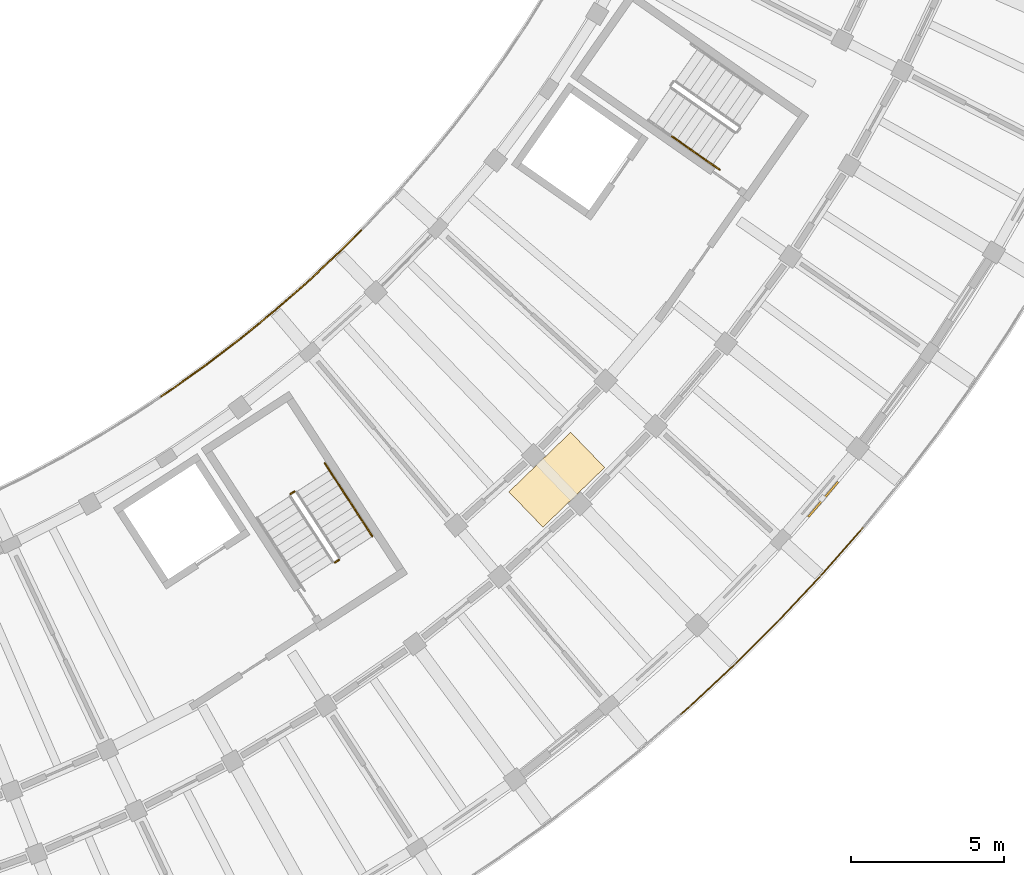
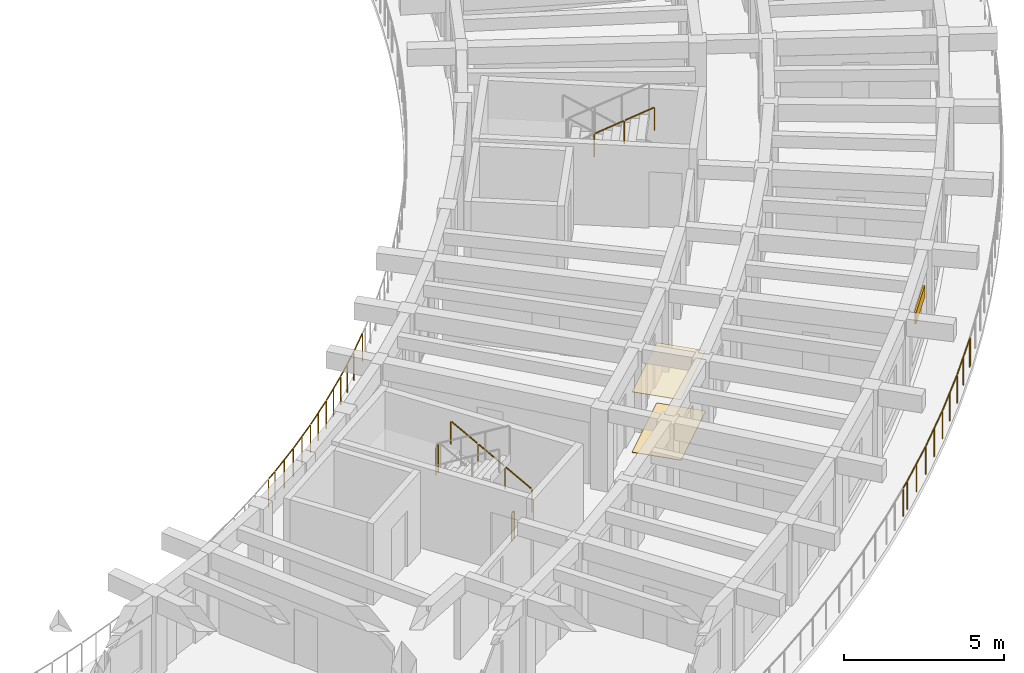
# One storey, part 62 of 69: 9 railings, 2 coverings, 1 shading device.
"""IFC4 building model written with IfcOpenShell, lengths in metres."""

import ifcopenshell
import ifcopenshell.guid

model = None  # the IFC model being written
_history = None  # IfcOwnerHistory: only IFC2X3 demands one
_inside = {}  # id of a spatial element -> (the spatial element, [elements in it])
_under = {}  # id of a project, library or spatial element -> (it, [spatial elements below it])
_declared = {}  # id of a project -> (the project, [libraries it declares])
_typed = {}  # id of a type object -> (the type object, [elements of that type])
_made_of = {}  # id of a material, layer set ... -> (it, [elements and type objects made of it])


def new_model(schema):
    """Start an empty IFC model of exactly this schema.

    Asked for "IFC4X3", IfcOpenShell would pick the latest addendum, in which some entities
    have other attributes; the version numbers below select the first issue.
    IFC2X3 requires an IfcOwnerHistory on every rooted entity: one is made here for all.
    """
    global model, _history
    if schema == "IFC4X3":
        model = ifcopenshell.file(schema_version=(4, 3, 0, 0))
    else:
        model = ifcopenshell.file(schema=schema)
    _inside.clear()
    _under.clear()
    _declared.clear()
    _typed.clear()
    _made_of.clear()
    _history = None
    if model.schema == "IFC2X3":
        org = make("IfcOrganization", Name="unknown")
        user = make(
            "IfcPersonAndOrganization",
            ThePerson=make("IfcPerson", FamilyName="unknown"),
            TheOrganization=org,
        )
        app = make(
            "IfcApplication",
            ApplicationDeveloper=org,
            Version="unknown",
            ApplicationFullName="unknown",
            ApplicationIdentifier="unknown",
        )
        _history = make(
            "IfcOwnerHistory",
            OwningUser=user,
            OwningApplication=app,
            ChangeAction="ADDED",
            CreationDate=0,
        )
    return model


def make(cls, **values):
    """One entity of the class cls with the attributes given. An attribute that is None is left unset."""
    return model.create_entity(
        cls, **{name: value for name, value in values.items() if value is not None}
    )


def rooted(cls, **values):
    """An entity with a GlobalId (a new one), such as an element, a storey or a relation."""
    return make(cls, GlobalId=ifcopenshell.guid.new(), OwnerHistory=_history, **values)


def si_unit(unit_type, name, prefix=None):
    """IfcSIUnit, for example si_unit("LENGTHUNIT", "METRE", prefix="MILLI")."""
    return make("IfcSIUnit", UnitType=unit_type, Prefix=prefix, Name=name)


def assignment(units):
    """IfcUnitAssignment: the units of a project."""
    return None if units is None else make("IfcUnitAssignment", Units=units)


def point(xyz):
    """IfcCartesianPoint."""
    return None if xyz is None else make("IfcCartesianPoint", Coordinates=xyz)


def direction(xyz):
    """IfcDirection."""
    return None if xyz is None else make("IfcDirection", DirectionRatios=xyz)


def frame(location, z_axis=None, x_axis=None):
    """IfcAxis2Placement3D, a coordinate frame: its origin and axes. An axis left out is left unset."""
    return make(
        "IfcAxis2Placement3D",
        Location=point(location),
        Axis=direction(z_axis),
        RefDirection=direction(x_axis),
    )


def frame_2d(location, x_axis=None):
    """IfcAxis2Placement2D, a coordinate frame in the plane: its origin and x axis."""
    return make(
        "IfcAxis2Placement2D", Location=point(location), RefDirection=direction(x_axis)
    )


def origin():
    """The frame at (0, 0, 0) with its axes left unset."""
    return frame((0.0, 0.0, 0.0))


def origin_2d():
    """The frame at (0, 0) in the plane with its x axis left unset."""
    return frame_2d((0.0, 0.0))


def place(relative_to, where):
    """IfcLocalPlacement: puts the frame where relative to a parent placement (None: the world)."""
    return make(
        "IfcLocalPlacement", PlacementRelTo=relative_to, RelativePlacement=where
    )


def context(
    kind, dimensions, precision=None, world=None, true_north=None, identifier=None
):
    """IfcGeometricRepresentationContext, for example the 3D "Model" context."""
    return make(
        "IfcGeometricRepresentationContext",
        ContextIdentifier=identifier,
        ContextType=kind,
        CoordinateSpaceDimension=dimensions,
        Precision=precision,
        WorldCoordinateSystem=world,
        TrueNorth=true_north,
    )


def subcontext(parent, identifier, kind, view, scale=None):
    """IfcGeometricRepresentationSubContext, for example "Body" below "Model"."""
    return make(
        "IfcGeometricRepresentationSubContext",
        ContextIdentifier=identifier,
        ContextType=kind,
        ParentContext=parent,
        TargetScale=scale,
        TargetView=view,
    )


def project(units=None, contexts=None):
    """IfcProject with its units and contexts."""
    return rooted(
        "IfcProject",
        Name="project",
        RepresentationContexts=contexts,
        UnitsInContext=assignment(units),
    )


def spatial(cls, under=None, at=None, **own):
    """A site, building, storey or space (cls), placed at a placement, below another one or the project."""
    s = rooted(cls, ObjectPlacement=at, **own)
    if under is not None:
        _under.setdefault(under.id(), (under, []))[1].append(s)
    return s


def profile(cls, at=None, kind="AREA", **sizes):
    """A parametric profile (cls). Its sizes go by their IFC names, for example OverallWidth=200.0."""
    return make(cls, ProfileType=kind, Position=at, **sizes)


def rectangle(**sizes):
    """IfcRectangleProfileDef."""
    return profile("IfcRectangleProfileDef", **sizes)


def circle(**sizes):
    """IfcCircleProfileDef."""
    return profile("IfcCircleProfileDef", **sizes)


def extrude(swept, where, along, depth):
    """IfcExtrudedAreaSolid: the profile swept, set in the frame where, extruded along a direction by depth."""
    return make(
        "IfcExtrudedAreaSolid",
        SweptArea=swept,
        Position=where,
        ExtrudedDirection=direction(along),
        Depth=depth,
    )


def shape(context_of_items, identifier, shape_type, items):
    """IfcShapeRepresentation: the items that make up one representation, for example the "Body"."""
    return make(
        "IfcShapeRepresentation",
        ContextOfItems=context_of_items,
        RepresentationIdentifier=identifier,
        RepresentationType=shape_type,
        Items=items,
    )


def material(Name=None, Category=None):
    """IfcMaterial."""
    return make("IfcMaterial", Name=Name, Category=Category)


def layer(
    of_material, thickness, ventilated=None, Name=None, Category=None, Priority=None
):
    """IfcMaterialLayer: one layer of a wall or slab, of a material (None: an air gap)."""
    return make(
        "IfcMaterialLayer",
        Material=of_material,
        LayerThickness=thickness,
        IsVentilated=ventilated,
        Name=Name,
        Category=Category,
        Priority=Priority,
    )


def layer_set(layers, Name=None):
    """IfcMaterialLayerSet."""
    return make("IfcMaterialLayerSet", MaterialLayers=layers, LayerSetName=Name)


def made_of(thing, what):
    """Note that an element or type object is made of a material, layer set ...; save() writes the relation."""
    if what is not None:
        _made_of.setdefault(what.id(), (what, []))[1].append(thing)
    return thing


def type_object(cls, material=None, **own):
    """A type object (cls), such as IfcWallType, which elements share."""
    return made_of(rooted(cls, **own), material)


def element(
    cls,
    number,
    at=None,
    inside=None,
    cuts=None,
    type_object=None,
    material=None,
    context=None,
    identifier="Body",
    shape_type=None,
    held_by="IfcProductDefinitionShape",
    body=None,
    shapes=None,
    **own,
):
    """One element of the class cls, such as IfcWall. Its Tag is "e" and its number.

    at: its placement. inside: the storey or other place that contains it. cuts: it is an
    opening in that element (IfcRelVoidsElement). A single representation is given by context,
    identifier, shape_type and body (its items); several are given by shapes. held_by: the class
    of the entity that holds the representations. save() writes the other relations.
    """
    e = rooted(cls, Tag="e%d" % number, ObjectPlacement=at, **own)
    if body is not None:
        shapes = [shape(context, identifier, shape_type, body)]
    if shapes is not None:
        e.Representation = make(held_by, Representations=shapes)
    if inside is not None:
        _inside.setdefault(inside.id(), (inside, []))[1].append(e)
    if cuts is not None:
        rooted(
            "IfcRelVoidsElement", RelatingBuildingElement=cuts, RelatedOpeningElement=e
        )
    if type_object is not None:
        _typed.setdefault(type_object.id(), (type_object, []))[1].append(e)
    return made_of(e, material)


def aggregate(whole, parts):
    """IfcRelAggregates: a whole, such as a stair, and the parts it consists of."""
    return rooted("IfcRelAggregates", RelatingObject=whole, RelatedObjects=parts)


def save(model, path):
    """Write the relations noted so far, then the file.

    IfcRelAggregates (storeys below a building ...), IfcRelContainedInSpatialStructure (elements
    in a storey), IfcRelDefinesByType, IfcRelAssociatesMaterial and IfcRelDeclares: one each for
    every whole, place, type object, material and project.
    """
    for whole, parts in _under.values():
        aggregate(whole, parts)
    for where, things in _inside.values():
        rooted(
            "IfcRelContainedInSpatialStructure",
            RelatedElements=things,
            RelatingStructure=where,
        )
    for kind, things in _typed.values():
        rooted("IfcRelDefinesByType", RelatedObjects=things, RelatingType=kind)
    for what, things in _made_of.values():
        rooted("IfcRelAssociatesMaterial", RelatedObjects=things, RelatingMaterial=what)
    for by, libraries in _declared.values():
        rooted("IfcRelDeclares", RelatingContext=by, RelatedDefinitions=libraries)
    model.write(path)


model = new_model("IFC4")

# Units and contexts
model_context = context("Model", 3, precision=1e-05, world=origin(), true_north=direction((0.0, 1.0)))
body_context = subcontext(model_context, "Body", "Model", "MODEL_VIEW")
ifc_project = project(units=[si_unit("LENGTHUNIT", "METRE"), si_unit("AREAUNIT", "SQUARE_METRE"), si_unit("VOLUMEUNIT", "CUBIC_METRE"), si_unit("PLANEANGLEUNIT", "RADIAN"), si_unit("MASSUNIT", "GRAM", prefix="KILO")], contexts=[model_context])

# Site, building, storey
site_placement = place(None, origin())
site = spatial("IfcSite", under=ifc_project, at=site_placement, CompositionType="ELEMENT")
building_placement = place(site_placement, origin())
building = spatial("IfcBuilding", under=site, at=building_placement, Name="Tanwirah Colonnade Gardens", CompositionType="ELEMENT")
storey_placement = place(building_placement, frame((0.0, 0.0, 15.56005859375)))
storey = spatial("IfcBuildingStorey", under=building, at=storey_placement, Name="L04", CompositionType="ELEMENT", Elevation=15.56005859375)

# Railings
ifc_material_1 = material(Name="Precast concrete C40/50", Category="concrete")
railing_type_1 = type_object("IfcRailingType", Name="BAL-EXT110", PredefinedType="BALUSTRADE", material=ifc_material_1)
railing_1_placement = place(storey_placement, frame((144.87646484375, 29.129638671875, 0.0)))
element("IfcRailing", 1, at=railing_1_placement, inside=storey, type_object=railing_type_1, Name="Block D L04 Balcony Ribbon Balustrade 3", PredefinedType="BALUSTRADE", context=body_context, shape_type="SweptSolid", body=[
    extrude(circle(Radius=0.02392578125, at=origin_2d()), frame((0.026123046875, 0.017333984375, 1.076171875), z_axis=(0.83213401319, 0.55457459741, 0.0), x_axis=(-0.55457459741, 0.83213401319, 0.0)), (0.0, 0.0, 1.0), 0.385986328125),
    extrude(circle(Radius=0.02392578125, at=origin_2d()), frame((0.40087890625, 0.268310546875, 1.076171875), z_axis=(0.813473063063, 0.581602592558, 0.0), x_axis=(-0.581602592558, 0.813473063063, 0.0)), (0.0, 0.0, 1.0), 1.33154296875),
    extrude(circle(Radius=0.02392578125, at=origin_2d()), frame((1.53662109375, 1.08154296875, 1.076171875), z_axis=(0.793969886309, 0.607957087001, 0.0), x_axis=(-0.607957087001, 0.793969886309, 0.0)), (0.0, 0.0, 1.0), 1.331298828125),
    extrude(circle(Radius=0.02392578125, at=origin_2d()), frame((2.644775390625, 1.931396484375, 1.076171875), z_axis=(0.773762182392, 0.633476191424, 0.0), x_axis=(-0.633476191424, 0.773762182392, 0.0)), (0.0, 0.0, 1.0), 1.33154296875),
    extrude(circle(Radius=0.02392578125, at=origin_2d()), frame((3.724609375, 2.81689453125, 1.076171875), z_axis=(0.752565845379, 0.658517006894, 0.0), x_axis=(-0.658517006894, 0.752565845379, 0.0)), (0.0, 0.0, 1.0), 1.33154296875),
    extrude(circle(Radius=0.02392578125, at=origin_2d()), frame((4.775146484375, 3.737548828125, 1.076171875), z_axis=(0.730612417562, 0.682792424756, 0.0), x_axis=(-0.682792424756, 0.730612417562, 0.0)), (0.0, 0.0, 1.0), 1.331298828125),
    extrude(circle(Radius=0.02392578125, at=origin_2d()), frame((5.794677734375, 4.69189453125, 1.076171875), z_axis=(0.707908164283, 0.70630448883, 0.0), x_axis=(-0.70630448883, 0.707908164283, 0.0)), (0.0, 0.0, 1.0), 1.003173828125),
    extrude(circle(Radius=0.02099609375, at=origin_2d()), origin(), (0.0, 0.0, 1.0), 1.049072265625),
    extrude(circle(Radius=0.02099609375, at=origin_2d()), frame((0.373291015625, 0.248779296875, 0.0)), (0.0, 0.0, 1.0), 1.049072265625),
    extrude(circle(Radius=0.02099609375, at=origin_2d()), frame((0.9423828125, 0.65576171875, 0.0)), (0.0, 0.0, 1.0), 1.049072265625),
    extrude(circle(Radius=0.02099609375, at=origin_2d()), frame((1.509521484375, 1.06103515625, 0.0)), (0.0, 0.0, 1.0), 1.049072265625),
    extrude(circle(Radius=0.02099609375, at=origin_2d()), frame((2.06494140625, 1.486328125, 0.0)), (0.0, 0.0, 1.0), 1.049072265625),
    extrude(circle(Radius=0.02099609375, at=origin_2d()), frame((2.618408203125, 1.909912109375, 0.0)), (0.0, 0.0, 1.0), 1.049072265625),
    extrude(circle(Radius=0.02099609375, at=origin_2d()), frame((3.159912109375, 2.35302734375, 0.0)), (0.0, 0.0, 1.0), 1.049072265625),
    extrude(circle(Radius=0.02099609375, at=origin_2d()), frame((3.69921875, 2.794677734375, 0.0)), (0.0, 0.0, 1.0), 1.049072265625),
    extrude(circle(Radius=0.02099609375, at=origin_2d()), frame((4.2255859375, 3.25537109375, 0.0)), (0.0, 0.0, 1.0), 1.049072265625),
    extrude(circle(Radius=0.02099609375, at=origin_2d()), frame((4.750244140625, 3.71435546875, 0.0)), (0.0, 0.0, 1.0), 1.049072265625),
    extrude(circle(Radius=0.02099609375, at=origin_2d()), frame((5.26123046875, 4.192138671875, 0.0)), (0.0, 0.0, 1.0), 1.049072265625),
    extrude(circle(Radius=0.02099609375, at=origin_2d()), frame((5.7705078125, 4.66796875, 0.0)), (0.0, 0.0, 1.0), 1.049072265625),
    extrude(circle(Radius=0.02099609375, at=origin_2d()), frame((6.52685546875, 5.422607421875, 0.0)), (0.0, 0.0, 1.0), 1.049072265625),
])
railing_2_placement = place(storey_placement, frame((167.766845703125, 24.8408203125, 0.0)))
element("IfcRailing", 2, at=railing_2_placement, inside=storey, type_object=railing_type_1, Name="Block D L04 Balcony Ribbon Balustrade 13", PredefinedType="BALUSTRADE", context=body_context, shape_type="SweptSolid", body=[
    extrude(circle(Radius=0.02392578125, at=origin_2d()), frame((-0.019775390625, -0.024169921875, 1.076171875), z_axis=(-0.635184473402, -0.772360462963, 0.0), x_axis=(0.772360462963, -0.635184473402, 0.0)), (0.0, 0.0, 1.0), 0.019287109375),
    extrude(circle(Radius=0.02392578125, at=origin_2d()), frame((-0.07275390625, -0.086669921875, 1.076171875), z_axis=(-0.660199900943, -0.751089935224, 0.0), x_axis=(0.751089935224, -0.660199900943, 0.0)), (0.0, 0.0, 1.0), 1.944091796875),
    extrude(circle(Radius=0.02392578125, at=origin_2d()), frame((-1.398193359375, -1.593017578125, 1.076171875), z_axis=(-0.684365955264, -0.729138696871, 0.0), x_axis=(0.729138696871, -0.684365955264, 0.0)), (0.0, 0.0, 1.0), 1.944091796875),
    extrude(circle(Radius=0.02392578125, at=origin_2d()), frame((-2.772216796875, -3.055419921875, 1.076171875), z_axis=(-0.707897217537, -0.706315460261, 0.0), x_axis=(0.706315460261, -0.707897217537, 0.0)), (0.0, 0.0, 1.0), 1.944091796875),
    extrude(circle(Radius=0.02392578125, at=origin_2d()), frame((-4.193359375, -4.471923828125, 1.076171875), z_axis=(-0.730610060212, -0.682794947196, 0.0), x_axis=(0.682794947196, -0.730610060212, 0.0)), (0.0, 0.0, 1.0), 1.944091796875),
    extrude(circle(Radius=0.02392578125, at=origin_2d()), frame((-5.659912109375, -5.84130859375, 1.076171875), z_axis=(-0.752306356802, -0.658813437564, 0.0), x_axis=(0.658813437564, -0.752306356802, 0.0)), (0.0, 0.0, 1.0), 0.3291015625),
    extrude(circle(Radius=0.02099609375, at=origin_2d()), origin(), (0.0, 0.0, 1.0), 1.049072265625),
    extrude(circle(Radius=0.02099609375, at=origin_2d()), frame((-0.052001953125, -0.063232421875, 0.0)), (0.0, 0.0, 1.0), 1.049072265625),
    extrude(circle(Radius=0.02099609375, at=origin_2d()), frame((-0.71435546875, -0.81689453125, 0.0)), (0.0, 0.0, 1.0), 1.049072265625),
    extrude(circle(Radius=0.02099609375, at=origin_2d()), frame((-1.376708984375, -1.5703125, 0.0)), (0.0, 0.0, 1.0), 1.049072265625),
    extrude(circle(Radius=0.02099609375, at=origin_2d()), frame((-2.0634765625, -2.3017578125, 0.0)), (0.0, 0.0, 1.0), 1.049072265625),
    extrude(circle(Radius=0.02099609375, at=origin_2d()), frame((-2.75, -3.033447265625, 0.0)), (0.0, 0.0, 1.0), 1.049072265625),
    extrude(circle(Radius=0.02099609375, at=origin_2d()), frame((-3.460205078125, -3.7421875, 0.0)), (0.0, 0.0, 1.0), 1.049072265625),
    extrude(circle(Radius=0.02099609375, at=origin_2d()), frame((-4.17041015625, -4.45068359375, 0.0)), (0.0, 0.0, 1.0), 1.049072265625),
    extrude(circle(Radius=0.02099609375, at=origin_2d()), frame((-4.9033203125, -5.1357421875, 0.0)), (0.0, 0.0, 1.0), 1.049072265625),
    extrude(circle(Radius=0.02099609375, at=origin_2d()), frame((-5.636474609375, -5.82080078125, 0.0)), (0.0, 0.0, 1.0), 1.049072265625),
    extrude(circle(Radius=0.02099609375, at=origin_2d()), frame((-5.93115234375, -6.078857421875, 0.0)), (0.0, 0.0, 1.0), 1.049072265625),
])

# Coverings
ifc_material_2 = material(Name="Acoustic perforated gypsum ceiling board")
ifc_layer_1 = layer(ifc_material_2, 0.014892578125)
ifc_layer_set_1 = layer_set([ifc_layer_1], Name="Acoustic perforated gypsum ceiling board")
covering_type_1 = type_object("IfcCoveringType", Name="COV-CEIL15", PredefinedType="CEILING", material=ifc_layer_set_1)
covering_1_placement = place(storey_placement, frame((157.7822265625, 26.410888671875, 2.3125), z_axis=(0.0, 0.0, 1.0), x_axis=(0.719339800339, 0.694658370459, 0.0)))
element("IfcCovering", 3, at=covering_1_placement, inside=storey, type_object=covering_type_1, Name="Block D L04 Corridor Acoustic Ceiling", PredefinedType="CEILING", context=body_context, shape_type="SweptSolid", body=[
    extrude(rectangle(XDim=2.800048828125, YDim=1.60009765625, at=origin_2d()), origin(), (0.0, 0.0, 1.0), 0.014892578125),
])
ifc_material_3 = material(Name="Honed Abu Dhabi limestone terrazzo flooring", Category="masonry")
ifc_layer_2 = layer(ifc_material_3, 0.02001953125)
ifc_layer_set_2 = layer_set([ifc_layer_2], Name="Honed Abu Dhabi limestone terrazzo flooring")
covering_type_2 = type_object("IfcCoveringType", Name="COV-FLR20", PredefinedType="FLOORING", material=ifc_layer_set_2)
covering_2_placement = place(storey_placement, frame((157.7822265625, 26.410888671875, 0.0), z_axis=(0.0, 0.0, 1.0), x_axis=(0.719339800339, 0.694658370459, 0.0)))
element("IfcCovering", 4, at=covering_2_placement, inside=storey, type_object=covering_type_2, Name="Block D L04 Corridor Terrazzo Flooring", PredefinedType="FLOORING", context=body_context, shape_type="SweptSolid", body=[
    extrude(rectangle(XDim=2.800048828125, YDim=1.60009765625, at=origin_2d()), origin(), (0.0, 0.0, 1.0), 0.02001953125),
])

# Railings
ifc_material_4 = material(Name="Powder-coated galvanized steel", Category="steel")
railing_type_2 = type_object("IfcRailingType", Name="GRD-ST110", PredefinedType="GUARDRAIL", material=ifc_material_4)
for number, where, name in (
    (5, (149.22509765625, 26.03125, 1.679931640625), "L04 ST-D1 stair guard 2"),
    (6, (150.676513671875, 23.79638671875, 0.0), "L04 ST-D1 stair guard 4"),
):
    element("IfcRailing", number, at=place(storey_placement, frame(where)), inside=storey, type_object=railing_type_2, Name=name, PredefinedType="GUARDRAIL", context=body_context, shape_type="SweptSolid", body=[
        extrude(circle(Radius=0.02392578125, at=origin_2d()), frame((-0.026123046875, -0.01708984375, 1.076171875), z_axis=(-0.838791880614, -0.544452184326, 0.0), x_axis=(0.544452184326, -0.838791880614, 0.0)), (0.0, 0.0, 1.0), 0.09765625),
        extrude(circle(Radius=0.02099609375, at=origin_2d()), origin(), (0.0, 0.0, 1.0), 1.049072265625),
        extrude(circle(Radius=0.02099609375, at=origin_2d()), frame((-0.13427734375, -0.087158203125, 0.0)), (0.0, 0.0, 1.0), 1.049072265625),
    ])
ifc_material_5 = material(Name="Brushed bronze stainless steel", Category="steel")
railing_type_3 = type_object("IfcRailingType", Name="HR-ST090", PredefinedType="HANDRAIL", material=ifc_material_5)
railing_3_placement = place(storey_placement, frame((151.7646484375, 24.5625, 0.16796875)))
element("IfcRailing", 7, at=railing_3_placement, inside=storey, type_object=railing_type_3, Name="L04 ST-D1 stair handrail 1", PredefinedType="HANDRAIL", context=body_context, shape_type="SweptSolid", body=[
    extrude(circle(Radius=0.02392578125, at=origin_2d()), frame((-0.0146484375, 0.0224609375, 0.891845703125), z_axis=(-0.467815092293, 0.720598613141, 0.511748647445), x_axis=(-0.838748777278, -0.544518584269, 0.0)), (0.0, 0.0, 1.0), 1.043212890625),
    extrude(circle(Radius=0.02099609375, at=origin_2d()), origin(), (0.0, 0.0, 1.0), 0.848876953125),
    extrude(circle(Radius=0.02099609375, at=origin_2d()), frame((-0.517333984375, 0.796875, 0.56591796875)), (0.0, 0.0, 1.0), 0.848876953125),
])
railing_4_placement = place(storey_placement, frame((151.247314453125, 25.359375, 0.73388671875)))
element("IfcRailing", 8, at=railing_4_placement, inside=storey, type_object=railing_type_3, Name="L04 ST-D1 stair handrail 2", PredefinedType="HANDRAIL", context=body_context, shape_type="SweptSolid", body=[
    extrude(circle(Radius=0.02392578125, at=origin_2d()), frame((-0.0146484375, 0.0224609375, 0.891845703125), z_axis=(-0.467836641068, 0.720411023977, 0.511993001717), x_axis=(-0.838672561027, -0.544635965926, 0.0)), (0.0, 0.0, 1.0), 1.043212890625),
    extrude(circle(Radius=0.02099609375, at=origin_2d()), origin(), (0.0, 0.0, 1.0), 0.848876953125),
    extrude(circle(Radius=0.02099609375, at=origin_2d()), frame((-0.517333984375, 0.796630859375, 0.566162109375)), (0.0, 0.0, 1.0), 0.848876953125),
])
railing_5_placement = place(storey_placement, frame((150.72998046875, 26.156005859375, 1.300048828125)))
element("IfcRailing", 9, at=railing_5_placement, inside=storey, type_object=railing_type_3, Name="L04 ST-D1 stair handrail 3", PredefinedType="HANDRAIL", context=body_context, shape_type="SweptSolid", body=[
    extrude(circle(Radius=0.02392578125, at=origin_2d()), frame((-0.0146484375, 0.0224609375, 0.891845703125), z_axis=(-0.467987521127, 0.720524183471, 0.511695789609), x_axis=(-0.838631412534, -0.544699324317, 0.0)), (0.0, 0.0, 1.0), 1.04345703125),
    extrude(circle(Radius=0.02099609375, at=origin_2d()), origin(), (0.0, 0.0, 1.0), 0.848876953125),
    extrude(circle(Radius=0.02099609375, at=origin_2d()), frame((-0.517578125, 0.796875, 0.56591796875)), (0.0, 0.0, 1.0), 0.848876953125),
])
railing_6_placement = place(storey_placement, frame((161.544921875, 37.611572265625, 2.4140625)))
element("IfcRailing", 10, at=railing_6_placement, inside=storey, type_object=railing_type_3, Name="L04 ST-D2 stair handrail 5", PredefinedType="HANDRAIL", context=body_context, shape_type="SweptSolid", body=[
    extrude(circle(Radius=0.02392578125, at=origin_2d()), frame((0.02197265625, -0.015380859375, 0.891845703125), z_axis=(0.703797483594, -0.492746544348, 0.511732298297), x_axis=(0.573531324472, 0.819183630115, 0.0)), (0.0, 0.0, 1.0), 1.04345703125),
    extrude(circle(Radius=0.02099609375, at=origin_2d()), origin(), (0.0, 0.0, 1.0), 0.848876953125),
    extrude(circle(Radius=0.02099609375, at=origin_2d()), frame((0.7783203125, -0.544921875, 0.56591796875)), (0.0, 0.0, 1.0), 0.848876953125),
])
railing_7_placement = place(storey_placement, frame((162.3232421875, 37.066650390625, 2.97998046875)))
element("IfcRailing", 11, at=railing_7_placement, inside=storey, type_object=railing_type_3, Name="L04 ST-D2 stair handrail 6", PredefinedType="HANDRAIL", context=body_context, shape_type="SweptSolid", body=[
    extrude(circle(Radius=0.02392578125, at=origin_2d()), frame((0.02197265625, -0.015380859375, 0.891845703125), z_axis=(0.703762611354, -0.492655910239, 0.511867503332), x_axis=(0.573479595945, 0.819219844141, 0.0)), (0.0, 0.0, 1.0), 1.04296875),
    extrude(circle(Radius=0.02099609375, at=origin_2d()), origin(), (0.0, 0.0, 1.0), 0.848876953125),
    extrude(circle(Radius=0.02099609375, at=origin_2d()), frame((0.778076171875, -0.544677734375, 0.56591796875)), (0.0, 0.0, 1.0), 0.848876953125),
])

# Shading device
ifc_material_6 = material(Name="Perforated architectural bronze aluminium", Category="aluminium")
ifc_layer_3 = layer(ifc_material_6, 0.050048828125)
ifc_layer_set_3 = layer_set([ifc_layer_3], Name="Perforated architectural bronze aluminium")
shading_device_type = type_object("IfcShadingDeviceType", Name="SHD-OVH1", PredefinedType="SHUTTER", material=ifc_layer_set_3)
shading_device_placement = place(storey_placement, frame((166.476806640625, 25.771240234375, 1.98486328125), z_axis=(0.0, 0.0, 1.0), x_axis=(0.647787018861, 0.761821487092, 0.0)))
element("IfcShadingDevice", 12, at=shading_device_placement, inside=storey, type_object=shading_device_type, Name="Solar shading louver hood D-L04-09", PredefinedType="SHUTTER", context=body_context, shape_type="SweptSolid", body=[
    extrude(rectangle(XDim=1.5, YDim=0.06005859375, at=origin_2d()), origin(), (0.0, 0.0, 1.0), 0.449951171875),
])

save(model, "model.ifc")
